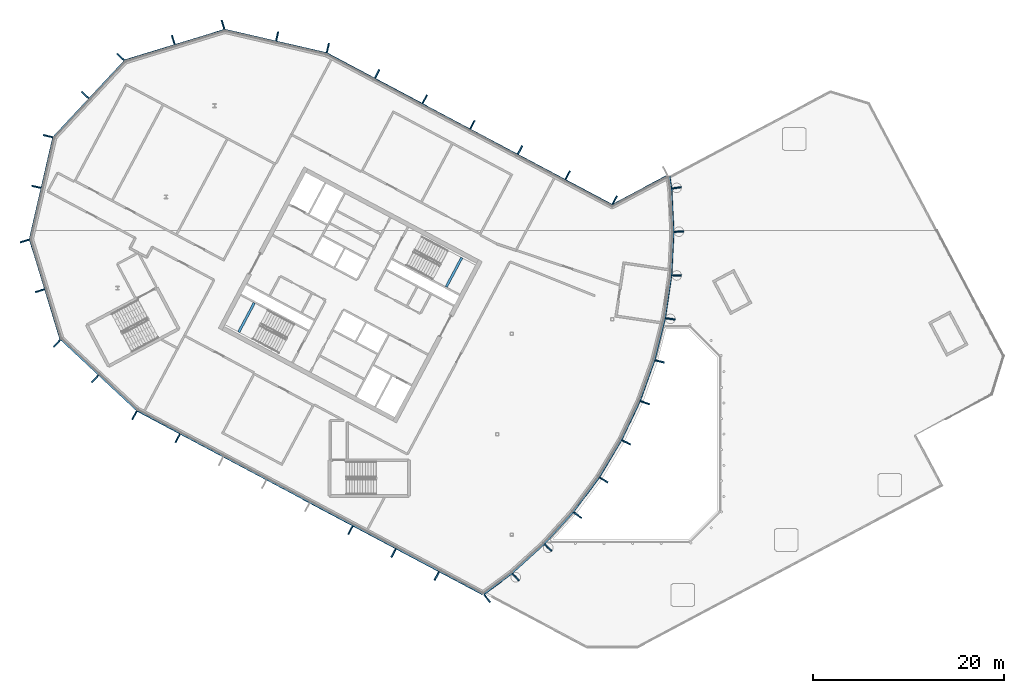
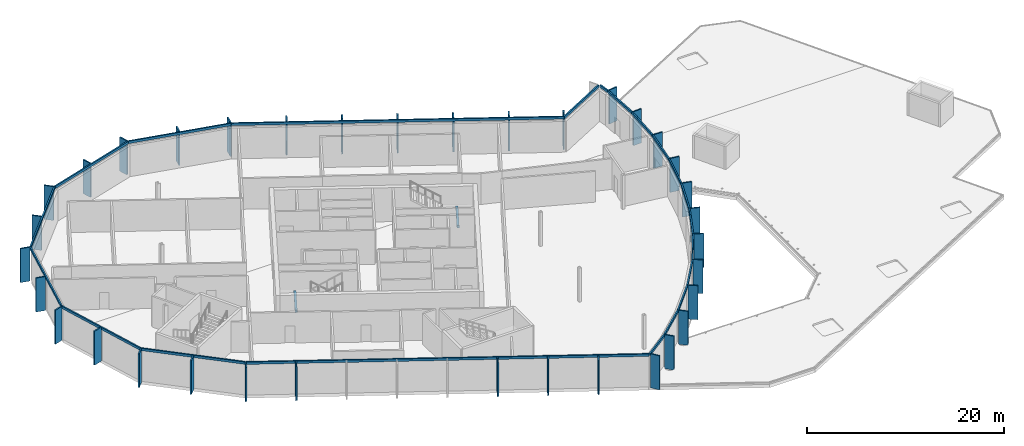
# One storey, part 3 of 16: 56 members, 2 beams, 21 elements without a shape of their own.
"""IFC4 building model written with IfcOpenShell, lengths in metres."""

from ifc_helpers import new_model, si_unit, direction, frame, origin, origin_2d, place, context, subcontext, project, spatial, rectangle, extrude, material, layer, layer_set, material_profile, profile_set, type_object, element, aggregate, save


model = new_model("IFC4")

# Units and contexts
model_context = context("Model", 3, precision=1e-05, world=origin(), true_north=direction((0.0, 1.0)))
body_context = subcontext(model_context, "Body", "Model", "MODEL_VIEW")
ifc_project = project(units=[si_unit("LENGTHUNIT", "METRE"), si_unit("AREAUNIT", "SQUARE_METRE"), si_unit("VOLUMEUNIT", "CUBIC_METRE"), si_unit("PLANEANGLEUNIT", "RADIAN"), si_unit("MASSUNIT", "GRAM", prefix="KILO")], contexts=[model_context])

# Site, building, storey
site_placement = place(None, origin())
site = spatial("IfcSite", under=ifc_project, at=site_placement, CompositionType="ELEMENT")
building_placement = place(site_placement, origin())
building = spatial("IfcBuilding", under=site, at=building_placement, Name="Cormorant Relay Tower", CompositionType="ELEMENT")
storey_placement = place(building_placement, frame((0.0, 0.0, 328.199951171875)))
storey = spatial("IfcBuildingStorey", under=building, at=storey_placement, Name="C1", CompositionType="ELEMENT", Elevation=328.199951171875)

# Curtain wall, members
ifc_material_1 = material(Name="Aluminium 6063-T6 anodised bronze", Category="aluminium")
ifc_layer = layer(ifc_material_1, 0.199951171875)
ifc_layer_set = layer_set([ifc_layer], Name="CW3 crown screen wall")
curtain_wall_type = type_object("IfcCurtainWallType", Name="CW3 crown screen wall", PredefinedType="NOTDEFINED", material=ifc_layer_set)
curtain_wall_1_placement = place(storey_placement, origin())
curtain_wall_1 = element("IfcCurtainWall", 1, at=curtain_wall_1_placement, inside=storey, type_object=curtain_wall_type, Name="CW3 curtain wall 1", PredefinedType="NOTDEFINED")
ifc_material_2 = material(Name="Aluminium 6063-T6 anodised bronze", Category="aluminium")
ifc_material_profile_1 = material_profile(ifc_material_2, rectangle(XDim=0.14990234375, YDim=1.0, at=origin_2d()), Name="AL 150x1000")
ifc_profile_set_1 = profile_set([ifc_material_profile_1], Name="Aluminium 6063-T6 anodised bronze")
member_type_1 = type_object("IfcMemberType", Name="CW3 bronze fin mullion 150 x 1000", PredefinedType="MULLION", material=ifc_profile_set_1)
member_1_placement = place(storey_placement, frame((-49.920166015625, 1.96630859375, 0.0), z_axis=(0.0, 0.0, 1.0), x_axis=(0.882947592859, -0.469471562786, 0.0)))
member_1 = element("IfcMember", 2, at=member_1_placement, type_object=member_type_1, Name="CW3 fin 1.1", PredefinedType="MULLION", context=body_context, shape_type="SweptSolid", body=[
    extrude(rectangle(XDim=0.14990234375, YDim=1.0, at=origin_2d()), origin(), (0.0, 0.0, 1.0), 4.199951171875),
])
member_2_placement = place(storey_placement, frame((-45.407470703125, -0.43310546875, 0.0), z_axis=(0.0, 0.0, 1.0), x_axis=(0.882947592859, -0.469471562786, 0.0)))
member_2 = element("IfcMember", 3, at=member_2_placement, type_object=member_type_1, Name="CW3 fin 1.2", PredefinedType="MULLION", context=body_context, shape_type="SweptSolid", body=[
    extrude(rectangle(XDim=0.14990234375, YDim=1.0, at=origin_2d()), origin(), (0.0, 0.0, 1.0), 4.199951171875),
])
member_3_placement = place(storey_placement, frame((-27.356201171875, -10.03125, 0.0), z_axis=(0.0, 0.0, 1.0), x_axis=(0.882947592859, -0.469471562786, 0.0)))
member_3 = element("IfcMember", 4, at=member_3_placement, type_object=member_type_1, Name="CW3 fin 1.6", PredefinedType="MULLION", context=body_context, shape_type="SweptSolid", body=[
    extrude(rectangle(XDim=0.14990234375, YDim=1.0, at=origin_2d()), origin(), (0.0, 0.0, 1.0), 4.199951171875),
])
member_4_placement = place(storey_placement, frame((-22.843505859375, -12.4306640625, 0.0), z_axis=(0.0, 0.0, 1.0), x_axis=(0.882947592859, -0.469471562786, 0.0)))
member_4 = element("IfcMember", 5, at=member_4_placement, type_object=member_type_1, Name="CW3 fin 1.7", PredefinedType="MULLION", context=body_context, shape_type="SweptSolid", body=[
    extrude(rectangle(XDim=0.14990234375, YDim=1.0, at=origin_2d()), origin(), (0.0, 0.0, 1.0), 4.199951171875),
])
member_5_placement = place(storey_placement, frame((-18.33056640625, -14.830078125, 0.0), z_axis=(0.0, 0.0, 1.0), x_axis=(0.882947592859, -0.469471562786, 0.0)))
member_5 = element("IfcMember", 6, at=member_5_placement, type_object=member_type_1, Name="CW3 fin 1.8", PredefinedType="MULLION", context=body_context, shape_type="SweptSolid", body=[
    extrude(rectangle(XDim=0.14990234375, YDim=1.0, at=origin_2d()), origin(), (0.0, 0.0, 1.0), 4.199951171875),
])

# Curtain wall, member
curtain_wall_2_placement = place(storey_placement, origin())
curtain_wall_2 = element("IfcCurtainWall", 7, at=curtain_wall_2_placement, inside=storey, type_object=curtain_wall_type, Name="CW3 curtain wall 2", PredefinedType="NOTDEFINED")
member_6_placement = place(storey_placement, frame((-13.072265625, -17.173828125, 0.0), z_axis=(0.0, 0.0, 1.0), x_axis=(0.803207531481, 0.595699304492, 0.0)))
member_6 = element("IfcMember", 8, at=member_6_placement, type_object=member_type_1, Name="CW3 fin 2.1", PredefinedType="MULLION", context=body_context, shape_type="SweptSolid", body=[
    extrude(rectangle(XDim=0.14990234375, YDim=1.0, at=origin_2d()), origin(), (0.0, 0.0, 1.0), 4.199951171875),
])

curtain_wall_3_placement = place(storey_placement, origin())
curtain_wall_3 = element("IfcCurtainWall", 9, at=curtain_wall_3_placement, inside=storey, type_object=curtain_wall_type, Name="CW3 curtain wall 3", PredefinedType="NOTDEFINED")
member_7_placement = place(storey_placement, frame((-10.08056640625, -14.950927734375, 0.0), z_axis=(0.0, 0.0, 1.0), x_axis=(0.740951125355, 0.671558954847, 0.0)))
member_7 = element("IfcMember", 10, at=member_7_placement, type_object=member_type_1, Name="CW3 fin 3.1", PredefinedType="MULLION", context=body_context, shape_type="SweptSolid", body=[
    extrude(rectangle(XDim=0.14990234375, YDim=1.0, at=origin_2d()), origin(), (0.0, 0.0, 1.0), 4.199951171875),
])

curtain_wall_4_placement = place(storey_placement, origin())
curtain_wall_4 = element("IfcCurtainWall", 11, at=curtain_wall_4_placement, inside=storey, type_object=curtain_wall_type, Name="CW3 curtain wall 4", PredefinedType="NOTDEFINED")
member_8_placement = place(storey_placement, frame((-6.68701171875, -11.870849609375, 0.0), z_axis=(0.0, 0.0, 1.0), x_axis=(0.671558954847, 0.740951125355, 0.0)))
member_8 = element("IfcMember", 12, at=member_8_placement, type_object=member_type_1, Name="CW3 fin 4.1", PredefinedType="MULLION", context=body_context, shape_type="SweptSolid", body=[
    extrude(rectangle(XDim=0.14990234375, YDim=1.0, at=origin_2d()), origin(), (0.0, 0.0, 1.0), 4.199951171875),
])

curtain_wall_5_placement = place(storey_placement, origin())
curtain_wall_5 = element("IfcCurtainWall", 13, at=curtain_wall_5_placement, inside=storey, type_object=curtain_wall_type, Name="CW3 curtain wall 5", PredefinedType="NOTDEFINED")
member_9_placement = place(storey_placement, frame((-3.61181640625, -8.472900390625, 0.0), z_axis=(0.0, 0.0, 1.0), x_axis=(0.595699304492, 0.803207531481, 0.0)))
member_9 = element("IfcMember", 14, at=member_9_placement, type_object=member_type_1, Name="CW3 fin 5.1", PredefinedType="MULLION", context=body_context, shape_type="SweptSolid", body=[
    extrude(rectangle(XDim=0.14990234375, YDim=1.0, at=origin_2d()), origin(), (0.0, 0.0, 1.0), 4.199951171875),
])

curtain_wall_6_placement = place(storey_placement, origin())
curtain_wall_6 = element("IfcCurtainWall", 15, at=curtain_wall_6_placement, inside=storey, type_object=curtain_wall_type, Name="CW3 curtain wall 6", PredefinedType="NOTDEFINED")
member_10_placement = place(storey_placement, frame((-0.884521484375, -4.789794921875, 0.0), z_axis=(0.0, 0.0, 1.0), x_axis=(0.514102744193, 0.85772861, 0.0)))
member_10 = element("IfcMember", 16, at=member_10_placement, type_object=member_type_1, Name="CW3 fin 6.1", PredefinedType="MULLION", context=body_context, shape_type="SweptSolid", body=[
    extrude(rectangle(XDim=0.14990234375, YDim=1.0, at=origin_2d()), origin(), (0.0, 0.0, 1.0), 4.199951171875),
])

curtain_wall_7_placement = place(storey_placement, origin())
curtain_wall_7 = element("IfcCurtainWall", 17, at=curtain_wall_7_placement, inside=storey, type_object=curtain_wall_type, Name="CW3 curtain wall 7", PredefinedType="NOTDEFINED")
member_11_placement = place(storey_placement, frame((1.468505859375, -0.857421875, 0.0), z_axis=(0.0, 0.0, 1.0), x_axis=(0.42755509343, 0.903989293123, 0.0)))
member_11 = element("IfcMember", 18, at=member_11_placement, type_object=member_type_1, Name="CW3 fin 7.1", PredefinedType="MULLION", context=body_context, shape_type="SweptSolid", body=[
    extrude(rectangle(XDim=0.14990234375, YDim=1.0, at=origin_2d()), origin(), (0.0, 0.0, 1.0), 4.199951171875),
])

curtain_wall_8_placement = place(storey_placement, origin())
curtain_wall_8 = element("IfcCurtainWall", 19, at=curtain_wall_8_placement, inside=storey, type_object=curtain_wall_type, Name="CW3 curtain wall 8", PredefinedType="NOTDEFINED")
member_12_placement = place(storey_placement, frame((3.4248046875, 3.287109375, 0.0), z_axis=(0.0, 0.0, 1.0), x_axis=(0.336889853392, 0.941544065183, 0.0)))
member_12 = element("IfcMember", 20, at=member_12_placement, type_object=member_type_1, Name="CW3 fin 8.1", PredefinedType="MULLION", context=body_context, shape_type="SweptSolid", body=[
    extrude(rectangle(XDim=0.14990234375, YDim=1.0, at=origin_2d()), origin(), (0.0, 0.0, 1.0), 4.199951171875),
])

curtain_wall_9_placement = place(storey_placement, origin())
curtain_wall_9 = element("IfcCurtainWall", 21, at=curtain_wall_9_placement, inside=storey, type_object=curtain_wall_type, Name="CW3 curtain wall 9", PredefinedType="NOTDEFINED")
member_13_placement = place(storey_placement, frame((4.965576171875, 7.60302734375, 0.0), z_axis=(0.0, 0.0, 1.0), x_axis=(0.242980179903, 0.970031253195, 0.0)))
member_13 = element("IfcMember", 22, at=member_13_placement, type_object=member_type_1, Name="CW3 fin 9.1", PredefinedType="MULLION", context=body_context, shape_type="SweptSolid", body=[
    extrude(rectangle(XDim=0.14990234375, YDim=1.0, at=origin_2d()), origin(), (0.0, 0.0, 1.0), 4.199951171875),
])

curtain_wall_10_placement = place(storey_placement, origin())
curtain_wall_10 = element("IfcCurtainWall", 23, at=curtain_wall_10_placement, inside=storey, type_object=curtain_wall_type, Name="CW3 curtain wall 10", PredefinedType="NOTDEFINED")
member_14_placement = place(storey_placement, frame((6.075927734375, 12.04931640625, 0.0), z_axis=(0.0, 0.0, 1.0), x_axis=(0.146730474455, 0.989176509965, 0.0)))
member_14 = element("IfcMember", 24, at=member_14_placement, type_object=member_type_1, Name="CW3 fin 10.1", PredefinedType="MULLION", context=body_context, shape_type="SweptSolid", body=[
    extrude(rectangle(XDim=0.14990234375, YDim=1.0, at=origin_2d()), origin(), (0.0, 0.0, 1.0), 4.199951171875),
])

curtain_wall_11_placement = place(storey_placement, origin())
curtain_wall_11 = element("IfcCurtainWall", 25, at=curtain_wall_11_placement, inside=storey, type_object=curtain_wall_type, Name="CW3 curtain wall 11", PredefinedType="NOTDEFINED")
member_15_placement = place(storey_placement, frame((6.7451171875, 16.5830078125, 0.0), z_axis=(0.0, 0.0, 1.0), x_axis=(0.049067674327, 0.998795456205, 0.0)))
member_15 = element("IfcMember", 26, at=member_15_placement, type_object=member_type_1, Name="CW3 fin 11.1", PredefinedType="MULLION", context=body_context, shape_type="SweptSolid", body=[
    extrude(rectangle(XDim=0.14990234375, YDim=1.0, at=origin_2d()), origin(), (0.0, 0.0, 1.0), 4.199951171875),
])

curtain_wall_12_placement = place(storey_placement, origin())
curtain_wall_12 = element("IfcCurtainWall", 27, at=curtain_wall_12_placement, inside=storey, type_object=curtain_wall_type, Name="CW3 curtain wall 12", PredefinedType="NOTDEFINED")
member_16_placement = place(storey_placement, frame((6.966552734375, 21.16064453125, 0.0), z_axis=(0.0, 0.0, 1.0), x_axis=(-0.049067674327, 0.998795456205, 0.0)))
member_16 = element("IfcMember", 28, at=member_16_placement, type_object=member_type_1, Name="CW3 fin 12.1", PredefinedType="MULLION", context=body_context, shape_type="SweptSolid", body=[
    extrude(rectangle(XDim=0.14990234375, YDim=1.0, at=origin_2d()), origin(), (0.0, 0.0, 1.0), 4.199951171875),
])

curtain_wall_13_placement = place(storey_placement, origin())
curtain_wall_13 = element("IfcCurtainWall", 29, at=curtain_wall_13_placement, inside=storey, type_object=curtain_wall_type, Name="CW3 curtain wall 13", PredefinedType="NOTDEFINED")
member_17_placement = place(storey_placement, frame((6.73828125, 25.73779296875, 0.0), z_axis=(0.0, 0.0, 1.0), x_axis=(-0.146730474455, 0.989176509965, 0.0)))
member_17 = element("IfcMember", 30, at=member_17_placement, type_object=member_type_1, Name="CW3 fin 13.1", PredefinedType="MULLION", context=body_context, shape_type="SweptSolid", body=[
    extrude(rectangle(XDim=0.14990234375, YDim=1.0, at=origin_2d()), origin(), (0.0, 0.0, 1.0), 4.199951171875),
])

# Curtain wall, members
curtain_wall_14_placement = place(storey_placement, origin())
curtain_wall_14 = element("IfcCurtainWall", 31, at=curtain_wall_14_placement, inside=storey, type_object=curtain_wall_type, Name="CW3 curtain wall 15", PredefinedType="NOTDEFINED")
member_18_placement = place(storey_placement, frame((0.262451171875, 24.437255859375, 0.0), z_axis=(0.0, 0.0, 1.0), x_axis=(-0.882947592859, 0.469471562786, 0.0)))
member_18 = element("IfcMember", 32, at=member_18_placement, type_object=member_type_1, Name="CW3 fin 15.1", PredefinedType="MULLION", context=body_context, shape_type="SweptSolid", body=[
    extrude(rectangle(XDim=0.14990234375, YDim=1.0, at=origin_2d()), origin(), (0.0, 0.0, 1.0), 4.199951171875),
])
member_19_placement = place(storey_placement, frame((-4.650390625, 27.04931640625, 0.0), z_axis=(0.0, 0.0, 1.0), x_axis=(-0.882947592859, 0.469471562786, 0.0)))
member_19 = element("IfcMember", 33, at=member_19_placement, type_object=member_type_1, Name="CW3 fin 15.2", PredefinedType="MULLION", context=body_context, shape_type="SweptSolid", body=[
    extrude(rectangle(XDim=0.14990234375, YDim=1.0, at=origin_2d()), origin(), (0.0, 0.0, 1.0), 4.199951171875),
])
member_20_placement = place(storey_placement, frame((-9.62939453125, 29.69677734375, 0.0), z_axis=(0.0, 0.0, 1.0), x_axis=(-0.882947592859, 0.469471562786, 0.0)))
member_20 = element("IfcMember", 34, at=member_20_placement, type_object=member_type_1, Name="CW3 fin 15.3", PredefinedType="MULLION", context=body_context, shape_type="SweptSolid", body=[
    extrude(rectangle(XDim=0.14990234375, YDim=1.0, at=origin_2d()), origin(), (0.0, 0.0, 1.0), 4.199951171875),
])
member_21_placement = place(storey_placement, frame((-14.608154296875, 32.343994140625, 0.0), z_axis=(0.0, 0.0, 1.0), x_axis=(-0.882947592859, 0.469471562786, 0.0)))
member_21 = element("IfcMember", 35, at=member_21_placement, type_object=member_type_1, Name="CW3 fin 15.4", PredefinedType="MULLION", context=body_context, shape_type="SweptSolid", body=[
    extrude(rectangle(XDim=0.14990234375, YDim=1.0, at=origin_2d()), origin(), (0.0, 0.0, 1.0), 4.199951171875),
])
member_22_placement = place(storey_placement, frame((-19.587158203125, 34.991455078125, 0.0), z_axis=(0.0, 0.0, 1.0), x_axis=(-0.882947592859, 0.469471562786, 0.0)))
member_22 = element("IfcMember", 36, at=member_22_placement, type_object=member_type_1, Name="CW3 fin 15.5", PredefinedType="MULLION", context=body_context, shape_type="SweptSolid", body=[
    extrude(rectangle(XDim=0.14990234375, YDim=1.0, at=origin_2d()), origin(), (0.0, 0.0, 1.0), 4.199951171875),
])
member_23_placement = place(storey_placement, frame((-24.566162109375, 37.638916015625, 0.0), z_axis=(0.0, 0.0, 1.0), x_axis=(-0.882947592859, 0.469471562786, 0.0)))
member_23 = element("IfcMember", 37, at=member_23_placement, type_object=member_type_1, Name="CW3 fin 15.6", PredefinedType="MULLION", context=body_context, shape_type="SweptSolid", body=[
    extrude(rectangle(XDim=0.14990234375, YDim=1.0, at=origin_2d()), origin(), (0.0, 0.0, 1.0), 4.199951171875),
])

curtain_wall_15_placement = place(storey_placement, origin())
curtain_wall_15 = element("IfcCurtainWall", 38, at=curtain_wall_15_placement, inside=storey, type_object=curtain_wall_type, Name="CW3 curtain wall 16", PredefinedType="NOTDEFINED")
member_24_placement = place(storey_placement, frame((-29.71630859375, 40.35009765625, 0.0), z_axis=(0.0, 0.0, 1.0), x_axis=(-0.974370064785, 0.224951054344, 0.0)))
member_24 = element("IfcMember", 39, at=member_24_placement, type_object=member_type_1, Name="CW3 fin 16.1", PredefinedType="MULLION", context=body_context, shape_type="SweptSolid", body=[
    extrude(rectangle(XDim=0.14990234375, YDim=1.0, at=origin_2d()), origin(), (0.0, 0.0, 1.0), 4.199951171875),
])
member_25_placement = place(storey_placement, frame((-35.01220703125, 41.57275390625, 0.0), z_axis=(0.0, 0.0, 1.0), x_axis=(-0.974370064785, 0.224951054344, 0.0)))
member_25 = element("IfcMember", 40, at=member_25_placement, type_object=member_type_1, Name="CW3 fin 16.2", PredefinedType="MULLION", context=body_context, shape_type="SweptSolid", body=[
    extrude(rectangle(XDim=0.14990234375, YDim=1.0, at=origin_2d()), origin(), (0.0, 0.0, 1.0), 4.199951171875),
])

curtain_wall_16_placement = place(storey_placement, origin())
curtain_wall_16 = element("IfcCurtainWall", 41, at=curtain_wall_16_placement, inside=storey, type_object=curtain_wall_type, Name="CW3 curtain wall 17", PredefinedType="NOTDEFINED")
member_26_placement = place(storey_placement, frame((-40.670166015625, 42.78271484375, 0.0), z_axis=(0.0, 0.0, 1.0), x_axis=(-0.956304755963, -0.292371704723, 0.0)))
member_26 = element("IfcMember", 42, at=member_26_placement, type_object=member_type_1, Name="CW3 fin 17.1", PredefinedType="MULLION", context=body_context, shape_type="SweptSolid", body=[
    extrude(rectangle(XDim=0.14990234375, YDim=1.0, at=origin_2d()), origin(), (0.0, 0.0, 1.0), 4.199951171875),
])
member_27_placement = place(storey_placement, frame((-45.867919921875, 41.193603515625, 0.0), z_axis=(0.0, 0.0, 1.0), x_axis=(-0.956304755963, -0.292371704723, 0.0)))
member_27 = element("IfcMember", 43, at=member_27_placement, type_object=member_type_1, Name="CW3 fin 17.2", PredefinedType="MULLION", context=body_context, shape_type="SweptSolid", body=[
    extrude(rectangle(XDim=0.14990234375, YDim=1.0, at=origin_2d()), origin(), (0.0, 0.0, 1.0), 4.199951171875),
])

curtain_wall_17_placement = place(storey_placement, origin())
curtain_wall_17 = element("IfcCurtainWall", 44, at=curtain_wall_17_placement, inside=storey, type_object=curtain_wall_type, Name="CW3 curtain wall 18", PredefinedType="NOTDEFINED")
member_28_placement = place(storey_placement, frame((-51.372802734375, 39.41259765625, 0.0), z_axis=(0.0, 0.0, 1.0), x_axis=(-0.681998360062, -0.731353701619, 0.0)))
member_28 = element("IfcMember", 45, at=member_28_placement, type_object=member_type_1, Name="CW3 fin 18.1", PredefinedType="MULLION", context=body_context, shape_type="SweptSolid", body=[
    extrude(rectangle(XDim=0.14990234375, YDim=1.0, at=origin_2d()), origin(), (0.0, 0.0, 1.0), 4.199951171875),
])
member_29_placement = place(storey_placement, frame((-55.07958984375, 35.4375, 0.0), z_axis=(0.0, 0.0, 1.0), x_axis=(-0.681998360062, -0.731353701619, 0.0)))
member_29 = element("IfcMember", 46, at=member_29_placement, type_object=member_type_1, Name="CW3 fin 18.2", PredefinedType="MULLION", context=body_context, shape_type="SweptSolid", body=[
    extrude(rectangle(XDim=0.14990234375, YDim=1.0, at=origin_2d()), origin(), (0.0, 0.0, 1.0), 4.199951171875),
])

curtain_wall_18_placement = place(storey_placement, origin())
curtain_wall_18 = element("IfcCurtainWall", 47, at=curtain_wall_18_placement, inside=storey, type_object=curtain_wall_type, Name="CW3 curtain wall 19", PredefinedType="NOTDEFINED")
member_30_placement = place(storey_placement, frame((-58.95654296875, 31.142578125, 0.0), z_axis=(0.0, 0.0, 1.0), x_axis=(-0.224951054344, -0.974370064785, 0.0)))
member_30 = element("IfcMember", 48, at=member_30_placement, type_object=member_type_1, Name="CW3 fin 19.1", PredefinedType="MULLION", context=body_context, shape_type="SweptSolid", body=[
    extrude(rectangle(XDim=0.14990234375, YDim=1.0, at=origin_2d()), origin(), (0.0, 0.0, 1.0), 4.199951171875),
])
member_31_placement = place(storey_placement, frame((-60.17919921875, 25.8466796875, 0.0), z_axis=(0.0, 0.0, 1.0), x_axis=(-0.224951054344, -0.974370064785, 0.0)))
member_31 = element("IfcMember", 49, at=member_31_placement, type_object=member_type_1, Name="CW3 fin 19.2", PredefinedType="MULLION", context=body_context, shape_type="SweptSolid", body=[
    extrude(rectangle(XDim=0.14990234375, YDim=1.0, at=origin_2d()), origin(), (0.0, 0.0, 1.0), 4.199951171875),
])

curtain_wall_19_placement = place(storey_placement, origin())
curtain_wall_19 = element("IfcCurtainWall", 50, at=curtain_wall_19_placement, inside=storey, type_object=curtain_wall_type, Name="CW3 curtain wall 20", PredefinedType="NOTDEFINED")
member_32_placement = place(storey_placement, frame((-61.389404296875, 20.188720703125, 0.0), z_axis=(0.0, 0.0, 1.0), x_axis=(0.292371704723, -0.956304755963, 0.0)))
member_32 = element("IfcMember", 51, at=member_32_placement, type_object=member_type_1, Name="CW3 fin 20.1", PredefinedType="MULLION", context=body_context, shape_type="SweptSolid", body=[
    extrude(rectangle(XDim=0.14990234375, YDim=1.0, at=origin_2d()), origin(), (0.0, 0.0, 1.0), 4.199951171875),
])
member_33_placement = place(storey_placement, frame((-59.80029296875, 14.990966796875, 0.0), z_axis=(0.0, 0.0, 1.0), x_axis=(0.292371704723, -0.956304755963, 0.0)))
member_33 = element("IfcMember", 52, at=member_33_placement, type_object=member_type_1, Name="CW3 fin 20.2", PredefinedType="MULLION", context=body_context, shape_type="SweptSolid", body=[
    extrude(rectangle(XDim=0.14990234375, YDim=1.0, at=origin_2d()), origin(), (0.0, 0.0, 1.0), 4.199951171875),
])

curtain_wall_20_placement = place(storey_placement, origin())
curtain_wall_20 = element("IfcCurtainWall", 53, at=curtain_wall_20_placement, inside=storey, type_object=curtain_wall_type, Name="CW3 curtain wall 21", PredefinedType="NOTDEFINED")
member_34_placement = place(storey_placement, frame((-58.01904296875, 9.486083984375, 0.0), z_axis=(0.0, 0.0, 1.0), x_axis=(0.731353701619, -0.681998360062, 0.0)))
member_34 = element("IfcMember", 54, at=member_34_placement, type_object=member_type_1, Name="CW3 fin 21.1", PredefinedType="MULLION", context=body_context, shape_type="SweptSolid", body=[
    extrude(rectangle(XDim=0.14990234375, YDim=1.0, at=origin_2d()), origin(), (0.0, 0.0, 1.0), 4.199951171875),
])
member_35_placement = place(storey_placement, frame((-54.0439453125, 5.779296875, 0.0), z_axis=(0.0, 0.0, 1.0), x_axis=(0.731353701619, -0.681998360062, 0.0)))
member_35 = element("IfcMember", 55, at=member_35_placement, type_object=member_type_1, Name="CW3 fin 21.2", PredefinedType="MULLION", context=body_context, shape_type="SweptSolid", body=[
    extrude(rectangle(XDim=0.14990234375, YDim=1.0, at=origin_2d()), origin(), (0.0, 0.0, 1.0), 4.199951171875),
])

# Member
ifc_material_3 = material(Name="Aluminium 6063-T6 anodised bronze", Category="aluminium")
ifc_material_profile_2 = material_profile(ifc_material_3, rectangle(XDim=0.159912109375, YDim=0.300048828125, at=origin_2d()), Name="AL 160x300")
ifc_profile_set_2 = profile_set([ifc_material_profile_2], Name="Aluminium 6063-T6 anodised bronze")
member_type_2 = type_object("IfcMemberType", Name="CW3 bronze transom 160 x 300", PredefinedType="USERDEFINED", material=ifc_profile_set_2)
member_36_placement = place(storey_placement, frame((-49.64794921875, 2.478515625, 4.050048828125), z_axis=(0.882947751054, -0.469471265264, 0.0), x_axis=(0.469471265264, 0.882947751054, 0.0)))
member_36 = element("IfcMember", 56, at=member_36_placement, type_object=member_type_2, Name="CW3 transom 1", ObjectType="TRANSOM", PredefinedType="USERDEFINED", context=body_context, shape_type="SweptSolid", body=[
    extrude(rectangle(XDim=0.159912109375, YDim=0.300048828125, at=origin_2d()), origin(), (0.0, 0.0, 1.0), 40.888671875),
])

aggregate(curtain_wall_1, [member_1, member_2, member_3, member_4, member_5, member_36])

member_37_placement = place(storey_placement, frame((-13.417724609375, -16.7080078125, 4.050048828125), z_axis=(0.80321543754, 0.595688644257, 0.0), x_axis=(-0.595688644257, 0.80321543754, 0.0)))
member_37 = element("IfcMember", 57, at=member_37_placement, type_object=member_type_2, Name="CW3 transom 2", ObjectType="TRANSOM", PredefinedType="USERDEFINED", context=body_context, shape_type="SweptSolid", body=[
    extrude(rectangle(XDim=0.159912109375, YDim=0.300048828125, at=origin_2d()), origin(), (0.0, 0.0, 1.0), 3.65869140625),
])

aggregate(curtain_wall_2, [member_6, member_37])

member_38_placement = place(storey_placement, frame((-10.469970703125, -14.521240234375, 4.050048828125), z_axis=(0.740947426948, 0.671563035387, 0.0), x_axis=(-0.671563035387, 0.740947426948, 0.0)))
member_38 = element("IfcMember", 58, at=member_38_placement, type_object=member_type_2, Name="CW3 transom 3", ObjectType="TRANSOM", PredefinedType="USERDEFINED", context=body_context, shape_type="SweptSolid", body=[
    extrude(rectangle(XDim=0.159912109375, YDim=0.300048828125, at=origin_2d()), origin(), (0.0, 0.0, 1.0), 4.514404296875),
])

aggregate(curtain_wall_3, [member_7, member_38])

member_39_placement = place(storey_placement, frame((-7.11669921875, -11.481201171875, 4.050048828125), z_axis=(0.671560254917, 0.740949947038, 0.0), x_axis=(-0.740949947038, 0.671560254917, 0.0)))
member_39 = element("IfcMember", 59, at=member_39_placement, type_object=member_type_2, Name="CW3 transom 4", ObjectType="TRANSOM", PredefinedType="USERDEFINED", context=body_context, shape_type="SweptSolid", body=[
    extrude(rectangle(XDim=0.159912109375, YDim=0.300048828125, at=origin_2d()), origin(), (0.0, 0.0, 1.0), 4.51416015625),
])

aggregate(curtain_wall_4, [member_8, member_39])

member_40_placement = place(storey_placement, frame((-4.077880859375, -8.12744140625, 4.050048828125), z_axis=(0.595699516858, 0.803207373979, 0.0), x_axis=(-0.803207373979, 0.595699516858, 0.0)))
member_40 = element("IfcMember", 60, at=member_40_placement, type_object=member_type_2, Name="CW3 transom 5", ObjectType="TRANSOM", PredefinedType="USERDEFINED", context=body_context, shape_type="SweptSolid", body=[
    extrude(rectangle(XDim=0.159912109375, YDim=0.300048828125, at=origin_2d()), origin(), (0.0, 0.0, 1.0), 4.514404296875),
])

aggregate(curtain_wall_5, [member_9, member_40])

member_41_placement = place(storey_placement, frame((-1.382080078125, -4.49169921875, 4.050048828125), z_axis=(0.514098042555, 0.857731428037, 0.0), x_axis=(-0.857731428037, 0.514098042555, 0.0)))
member_41 = element("IfcMember", 61, at=member_41_placement, type_object=member_type_2, Name="CW3 transom 6", ObjectType="TRANSOM", PredefinedType="USERDEFINED", context=body_context, shape_type="SweptSolid", body=[
    extrude(rectangle(XDim=0.159912109375, YDim=0.300048828125, at=origin_2d()), origin(), (0.0, 0.0, 1.0), 4.514404296875),
])

aggregate(curtain_wall_6, [member_10, member_41])

member_42_placement = place(storey_placement, frame((0.944091796875, -0.609375, 4.050048828125), z_axis=(0.427572496315, 0.903981061967, 0.0), x_axis=(-0.903981061967, 0.427572496315, 0.0)))
member_42 = element("IfcMember", 62, at=member_42_placement, type_object=member_type_2, Name="CW3 transom 7", ObjectType="TRANSOM", PredefinedType="USERDEFINED", context=body_context, shape_type="SweptSolid", body=[
    extrude(rectangle(XDim=0.159912109375, YDim=0.300048828125, at=origin_2d()), origin(), (0.0, 0.0, 1.0), 4.51416015625),
])

aggregate(curtain_wall_7, [member_11, member_42])

member_43_placement = place(storey_placement, frame((2.87890625, 3.482421875, 4.050048828125), z_axis=(0.336887945045, 0.941544747999, 0.0), x_axis=(-0.941544747999, 0.336887945045, 0.0)))
member_43 = element("IfcMember", 63, at=member_43_placement, type_object=member_type_2, Name="CW3 transom 8", ObjectType="TRANSOM", PredefinedType="USERDEFINED", context=body_context, shape_type="SweptSolid", body=[
    extrude(rectangle(XDim=0.159912109375, YDim=0.300048828125, at=origin_2d()), origin(), (0.0, 0.0, 1.0), 4.51416015625),
])

aggregate(curtain_wall_8, [member_12, member_43])

member_44_placement = place(storey_placement, frame((4.403076171875, 7.743896484375, 4.050048828125), z_axis=(0.242993710541, 0.970027863846, 0.0), x_axis=(-0.970027863846, 0.242993710541, 0.0)))
member_44 = element("IfcMember", 64, at=member_44_placement, type_object=member_type_2, Name="CW3 transom 9", ObjectType="TRANSOM", PredefinedType="USERDEFINED", context=body_context, shape_type="SweptSolid", body=[
    extrude(rectangle(XDim=0.159912109375, YDim=0.300048828125, at=origin_2d()), origin(), (0.0, 0.0, 1.0), 4.51416015625),
])

aggregate(curtain_wall_9, [member_13, member_44])

member_45_placement = place(storey_placement, frame((5.502197265625, 12.134521484375, 4.050048828125), z_axis=(0.146727023526, 0.989177021856, 0.0), x_axis=(-0.989177021856, 0.146727023526, 0.0)))
member_45 = element("IfcMember", 65, at=member_45_placement, type_object=member_type_2, Name="CW3 transom 10", ObjectType="TRANSOM", PredefinedType="USERDEFINED", context=body_context, shape_type="SweptSolid", body=[
    extrude(rectangle(XDim=0.159912109375, YDim=0.300048828125, at=origin_2d()), origin(), (0.0, 0.0, 1.0), 4.51416015625),
])

aggregate(curtain_wall_10, [member_14, member_45])

member_46_placement = place(storey_placement, frame((6.165771484375, 16.611572265625, 4.050048828125), z_axis=(0.049052855695, 0.998796184088, 0.0), x_axis=(-0.998796184088, 0.049052855695, 0.0)))
member_46 = element("IfcMember", 66, at=member_46_placement, type_object=member_type_2, Name="CW3 transom 11", ObjectType="TRANSOM", PredefinedType="USERDEFINED", context=body_context, shape_type="SweptSolid", body=[
    extrude(rectangle(XDim=0.159912109375, YDim=0.300048828125, at=origin_2d()), origin(), (0.0, 0.0, 1.0), 4.51416015625),
])

aggregate(curtain_wall_11, [member_15, member_46])

member_47_placement = place(storey_placement, frame((6.38720703125, 21.132080078125, 4.050048828125), z_axis=(-0.049052855695, 0.998796184088, 0.0), x_axis=(-0.998796184088, -0.049052855695, 0.0)))
member_47 = element("IfcMember", 67, at=member_47_placement, type_object=member_type_2, Name="CW3 transom 12", ObjectType="TRANSOM", PredefinedType="USERDEFINED", context=body_context, shape_type="SweptSolid", body=[
    extrude(rectangle(XDim=0.159912109375, YDim=0.300048828125, at=origin_2d()), origin(), (0.0, 0.0, 1.0), 4.51416015625),
])

aggregate(curtain_wall_12, [member_16, member_47])

member_48_placement = place(storey_placement, frame((6.16455078125, 25.652587890625, 4.050048828125), z_axis=(-0.146742550487, 0.989174718579, 0.0), x_axis=(-0.989174718579, -0.146742550487, 0.0)))
member_48 = element("IfcMember", 68, at=member_48_placement, type_object=member_type_2, Name="CW3 transom 13", ObjectType="TRANSOM", PredefinedType="USERDEFINED", context=body_context, shape_type="SweptSolid", body=[
    extrude(rectangle(XDim=0.159912109375, YDim=0.300048828125, at=origin_2d()), origin(), (0.0, 0.0, 1.0), 1.27783203125),
])

aggregate(curtain_wall_13, [member_17, member_48])

# Curtain wall, member
curtain_wall_21_placement = place(storey_placement, origin())
curtain_wall_21 = element("IfcCurtainWall", 69, at=curtain_wall_21_placement, inside=storey, type_object=curtain_wall_type, Name="CW3 curtain wall 14", PredefinedType="NOTDEFINED")
member_49_placement = place(storey_placement, frame((5.802001953125, 27.0048828125, 4.050048828125), z_axis=(-0.882946060321, -0.469474445059, 0.0), x_axis=(0.469474445059, -0.882946060321, 0.0)))
member_49 = element("IfcMember", 70, at=member_49_placement, type_object=member_type_2, Name="CW3 transom 14", ObjectType="TRANSOM", PredefinedType="USERDEFINED", context=body_context, shape_type="SweptSolid", body=[
    extrude(rectangle(XDim=0.159912109375, YDim=0.300048828125, at=origin_2d()), origin(), (0.0, 0.0, 1.0), 6.635009765625),
])
aggregate(curtain_wall_21, [member_49])

# Member
member_50_placement = place(storey_placement, frame((0.056396484375, 23.889892578125, 4.050048828125), z_axis=(-0.882946280328, 0.46947403129, 0.0), x_axis=(-0.46947403129, -0.882946280328, 0.0)))
member_50 = element("IfcMember", 71, at=member_50_placement, type_object=member_type_2, Name="CW3 transom 15", ObjectType="TRANSOM", PredefinedType="USERDEFINED", context=body_context, shape_type="SweptSolid", body=[
    extrude(rectangle(XDim=0.159912109375, YDim=0.300048828125, at=origin_2d()), origin(), (0.0, 0.0, 1.0), 33.834228515625),
])

aggregate(curtain_wall_14, [member_18, member_19, member_20, member_21, member_22, member_23, member_50])

member_51_placement = place(storey_placement, frame((-29.8466796875, 39.784912109375, 4.050048828125), z_axis=(-0.974365070969, 0.224972683844, 0.0), x_axis=(-0.224972683844, -0.974365070969, 0.0)))
member_51 = element("IfcMember", 72, at=member_51_placement, type_object=member_type_2, Name="CW3 transom 16", ObjectType="TRANSOM", PredefinedType="USERDEFINED", context=body_context, shape_type="SweptSolid", body=[
    extrude(rectangle(XDim=0.159912109375, YDim=0.300048828125, at=origin_2d()), origin(), (0.0, 0.0, 1.0), 10.870361328125),
])

aggregate(curtain_wall_15, [member_24, member_25, member_51])

member_52_placement = place(storey_placement, frame((-40.50048828125, 42.228271484375, 4.050048828125), z_axis=(-0.956304833932, -0.292371449698, 0.0), x_axis=(0.292371449698, -0.956304833932, 0.0)))
member_52 = element("IfcMember", 73, at=member_52_placement, type_object=member_type_2, Name="CW3 transom 17", ObjectType="TRANSOM", PredefinedType="USERDEFINED", context=body_context, shape_type="SweptSolid", body=[
    extrude(rectangle(XDim=0.159912109375, YDim=0.300048828125, at=origin_2d()), origin(), (0.0, 0.0, 1.0), 10.87060546875),
])

aggregate(curtain_wall_16, [member_26, member_27, member_52])

member_53_placement = place(storey_placement, frame((-50.94873046875, 39.01708984375, 4.050048828125), z_axis=(-0.681993299437, -0.731358420696, 0.0), x_axis=(0.731358420696, -0.681993299437, 0.0)))
member_53 = element("IfcMember", 74, at=member_53_placement, type_object=member_type_2, Name="CW3 transom 18", ObjectType="TRANSOM", PredefinedType="USERDEFINED", context=body_context, shape_type="SweptSolid", body=[
    extrude(rectangle(XDim=0.159912109375, YDim=0.300048828125, at=origin_2d()), origin(), (0.0, 0.0, 1.0), 10.870361328125),
])

aggregate(curtain_wall_17, [member_28, member_29, member_53])

member_54_placement = place(storey_placement, frame((-58.3916015625, 31.01220703125, 4.050048828125), z_axis=(-0.22495136131, -0.974369993916, 0.0), x_axis=(0.974369993916, -0.22495136131, 0.0)))
member_54 = element("IfcMember", 75, at=member_54_placement, type_object=member_type_2, Name="CW3 transom 19", ObjectType="TRANSOM", PredefinedType="USERDEFINED", context=body_context, shape_type="SweptSolid", body=[
    extrude(rectangle(XDim=0.159912109375, YDim=0.300048828125, at=origin_2d()), origin(), (0.0, 0.0, 1.0), 10.870361328125),
])

aggregate(curtain_wall_18, [member_30, member_31, member_54])

member_55_placement = place(storey_placement, frame((-60.834716796875, 20.358154296875, 4.050048828125), z_axis=(0.292377729282, -0.95630291405, 0.0), x_axis=(0.95630291405, 0.292377729282, 0.0)))
member_55 = element("IfcMember", 76, at=member_55_placement, type_object=member_type_2, Name="CW3 transom 20", ObjectType="TRANSOM", PredefinedType="USERDEFINED", context=body_context, shape_type="SweptSolid", body=[
    extrude(rectangle(XDim=0.159912109375, YDim=0.300048828125, at=origin_2d()), origin(), (0.0, 0.0, 1.0), 10.870361328125),
])

aggregate(curtain_wall_19, [member_32, member_33, member_55])

member_56_placement = place(storey_placement, frame((-57.62353515625, 9.91015625, 4.050048828125), z_axis=(0.731358420696, -0.681993299437, 0.0), x_axis=(0.681993299437, 0.731358420696, 0.0)))
member_56 = element("IfcMember", 77, at=member_56_placement, type_object=member_type_2, Name="CW3 transom 21", ObjectType="TRANSOM", PredefinedType="USERDEFINED", context=body_context, shape_type="SweptSolid", body=[
    extrude(rectangle(XDim=0.159912109375, YDim=0.300048828125, at=origin_2d()), origin(), (0.0, 0.0, 1.0), 10.870361328125),
])

aggregate(curtain_wall_20, [member_34, member_35, member_56])

# Beams
ifc_material_4 = material(Name="Concrete 50 MPa", Category="concrete")
ifc_material_profile_3 = material_profile(ifc_material_4, rectangle(XDim=0.25, YDim=0.300048828125, at=origin_2d()), Name="RC 250x300")
ifc_profile_set_3 = profile_set([ifc_material_profile_3], Name="Concrete 50 MPa")
beam_type = type_object("IfcBeamType", Name="Stair landing ledge beam 250x300", PredefinedType="BEAM", material=ifc_profile_set_3)
for number, where, z_axis, x_axis, name in (
    (78, (-17.338623046875, 15.3916015625, 1.75), (0.469463917486, 0.882951657895, 0.0), (-0.882951657895, 0.469463917486, 0.0), "A1 landing ledge beam"),
    (79, (-37.404052734375, 13.715576171875, 1.75), (-0.469463917486, -0.882951657895, 0.0), (0.882951657895, -0.469463917486, 0.0), "A2 landing ledge beam"),
):
    element("IfcBeam", number, at=place(storey_placement, frame(where, z_axis=z_axis, x_axis=x_axis)), inside=storey, type_object=beam_type, Name=name, PredefinedType="BEAM", context=body_context, shape_type="SweptSolid", body=[
        extrude(rectangle(XDim=0.25, YDim=0.300048828125, at=origin_2d()), origin(), (0.0, 0.0, 1.0), 3.449951171875),
    ])

save(model, "model.ifc")
